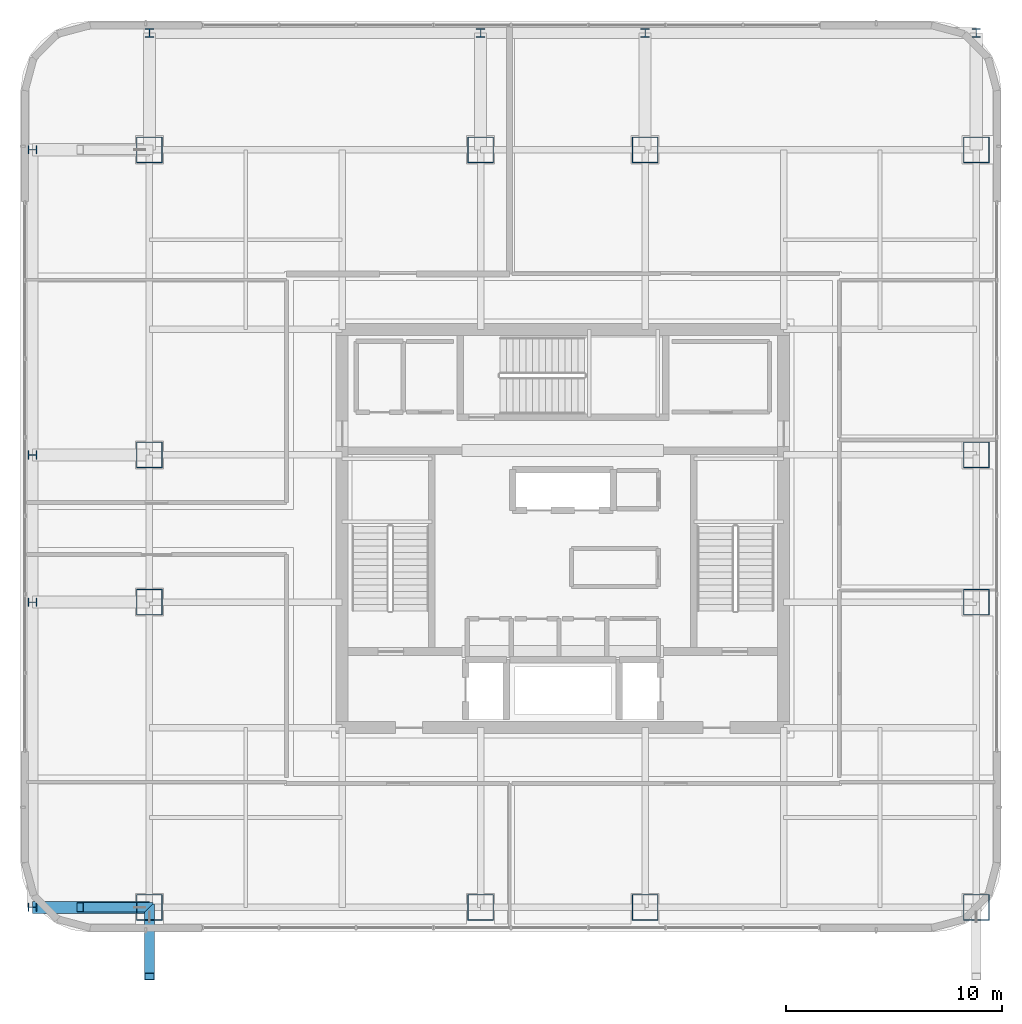
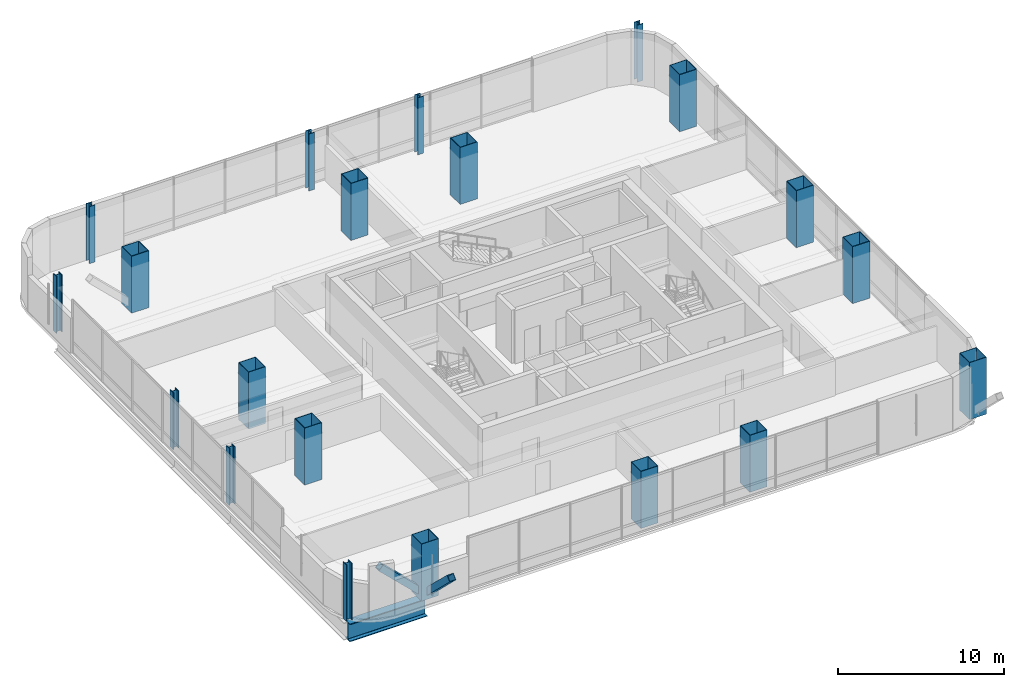
# One storey, part 1 of 51: 20 columns, 2 members, 1 beam.
"""IFC4 building model written with IfcOpenShell, lengths in metres."""

from ifc_helpers import new_model, si_unit, direction, frame, origin, origin_2d, place, context, subcontext, project, spatial, hollow_rectangle, i_section, extrude, material, material_profile, profile_set, type_object, element, save


model = new_model("IFC4")

# Units and contexts
model_context = context("Model", 3, precision=1e-05, world=origin(), true_north=direction((0.0, 1.0)))
body_context = subcontext(model_context, "Body", "Model", "MODEL_VIEW")
ifc_project = project(units=[si_unit("LENGTHUNIT", "METRE"), si_unit("AREAUNIT", "SQUARE_METRE"), si_unit("VOLUMEUNIT", "CUBIC_METRE"), si_unit("PLANEANGLEUNIT", "RADIAN"), si_unit("MASSUNIT", "GRAM", prefix="KILO")], contexts=[model_context])

# Site, building, storey
site_placement = place(None, origin())
site = spatial("IfcSite", under=ifc_project, at=site_placement, CompositionType="ELEMENT")
building_placement = place(site_placement, origin())
building = spatial("IfcBuilding", under=site, at=building_placement, Name="Punatoya Terracotta Tower", CompositionType="ELEMENT")
storey_placement = place(building_placement, frame((0.0, 0.0, 313.199951171875)))
storey = spatial("IfcBuildingStorey", under=building, at=storey_placement, Name="L74", CompositionType="ELEMENT", Elevation=313.199951171875)

# Columns
ifc_material = material(Name="Steel S460", Category="steel")
ifc_material_profile_1 = material_profile(ifc_material, i_section(OverallWidth=0.406005859375, OverallDepth=0.416015625, WebThickness=0.029052734375, FlangeThickness=0.048095703125, FilletRadius=0.01806640625, at=origin_2d()))
ifc_profile_set_1 = profile_set([ifc_material_profile_1], Name="Steel S460")
column_type_1 = type_object("IfcColumnType", Name="COL-EX-M3", PredefinedType="COLUMN", material=ifc_profile_set_1)
for number, where, z_axis, x_axis, name in (
    (1, (-19.10009765625, 22.89990234375, 0.0), (0.0, 0.0, 1.0), (1.0, 0.0, 0.0), "L74 Exoskeleton Perimeter Column N1"),
    (2, (-3.800048828125, 22.89990234375, 0.0), (0.0, 0.0, 1.0), (1.0, 0.0, 0.0), "L74 Exoskeleton Perimeter Column N2"),
    (3, (3.800048828125, 22.89990234375, 0.0), (0.0, 0.0, 1.0), (1.0, 0.0, 0.0), "L74 Exoskeleton Perimeter Column N3"),
    (4, (19.10009765625, 22.89990234375, 0.0), (0.0, 0.0, 1.0), (1.0, 0.0, 0.0), "L74 Exoskeleton Perimeter Column N4"),
    (5, (-24.5, -17.5, 0.0), (0.0, 0.0, 1.0), (0.0, 1.0, 0.0), "L74 Exoskeleton Perimeter Column W1"),
    (6, (-24.5, -3.39990234375, 0.0), (0.0, 0.0, 1.0), (0.0, 1.0, 0.0), "L74 Exoskeleton Perimeter Column W2"),
    (7, (-24.5, 3.39990234375, 0.0), (0.0, 0.0, 1.0), (0.0, 1.0, 0.0), "L74 Exoskeleton Perimeter Column W3"),
    (8, (-24.5, 17.5, 0.0), (0.0, 0.0, 1.0), (0.0, 1.0, 0.0), "L74 Exoskeleton Perimeter Column W4"),
):
    element("IfcColumn", number, at=place(storey_placement, frame(where, z_axis=z_axis, x_axis=x_axis)), inside=storey, type_object=column_type_1, Name=name, PredefinedType="COLUMN", context=body_context, shape_type="SweptSolid", body=[
        extrude(i_section(OverallWidth=0.406005859375, OverallDepth=0.416015625, WebThickness=0.029052734375, FlangeThickness=0.048095703125, FilletRadius=0.01806640625, at=origin_2d()), origin(), (0.0, 0.0, 1.0), 4.197998046875),
    ])
ifc_material_profile_2 = material_profile(ifc_material, hollow_rectangle(XDim=1.199951171875, YDim=1.199951171875, WallThickness=0.034912109375, at=origin_2d()))
ifc_profile_set_2 = profile_set([ifc_material_profile_2], Name="Steel S460")
column_type_2 = type_object("IfcColumnType", Name="COL-MC-Z4", PredefinedType="COLUMN", material=ifc_profile_set_2)
for number, where, z_axis, x_axis, name in (
    (9, (-19.10009765625, -17.5, 0.0), (0.0, 0.0, 1.0), (1.0, 0.0, 0.0), "L74 Composite Mega-Column MC-01 (3-B)"),
    (10, (-3.800048828125, -17.5, 0.0), (0.0, 0.0, 1.0), (1.0, 0.0, 0.0), "L74 Composite Mega-Column MC-02 (5-B)"),
    (11, (3.800048828125, -17.5, 0.0), (0.0, 0.0, 1.0), (1.0, 0.0, 0.0), "L74 Composite Mega-Column MC-03 (7-B)"),
    (12, (19.10009765625, -17.5, 0.0), (0.0, 0.0, 1.0), (1.0, 0.0, 0.0), "L74 Composite Mega-Column MC-04 (9-B)"),
    (13, (19.10009765625, -3.39990234375, 0.0), (0.0, 0.0, 1.0), (1.0, 0.0, 0.0), "L74 Composite Mega-Column MC-05 (9-D)"),
    (14, (19.10009765625, 3.39990234375, 0.0), (0.0, 0.0, 1.0), (1.0, 0.0, 0.0), "L74 Composite Mega-Column MC-06 (9-E)"),
    (15, (19.10009765625, 17.5, 0.0), (0.0, 0.0, 1.0), (1.0, 0.0, 0.0), "L74 Composite Mega-Column MC-07 (9-G)"),
    (16, (3.800048828125, 17.5, 0.0), (0.0, 0.0, 1.0), (1.0, 0.0, 0.0), "L74 Composite Mega-Column MC-08 (7-G)"),
    (17, (-3.800048828125, 17.5, 0.0), (0.0, 0.0, 1.0), (1.0, 0.0, 0.0), "L74 Composite Mega-Column MC-09 (5-G)"),
    (18, (-19.10009765625, 17.5, 0.0), (0.0, 0.0, 1.0), (1.0, 0.0, 0.0), "L74 Composite Mega-Column MC-10 (3-G)"),
    (19, (-19.10009765625, 3.39990234375, 0.0), (0.0, 0.0, 1.0), (1.0, 0.0, 0.0), "L74 Composite Mega-Column MC-11 (3-E)"),
    (20, (-19.10009765625, -3.39990234375, 0.0), (0.0, 0.0, 1.0), (1.0, 0.0, 0.0), "L74 Composite Mega-Column MC-12 (3-D)"),
):
    element("IfcColumn", number, at=place(storey_placement, frame(where, z_axis=z_axis, x_axis=x_axis)), inside=storey, type_object=column_type_2, Name=name, PredefinedType="COLUMN", context=body_context, shape_type="SweptSolid", body=[
        extrude(hollow_rectangle(XDim=1.199951171875, YDim=1.199951171875, WallThickness=0.034912109375, at=origin_2d()), origin(), (0.0, 0.0, 1.0), 4.199951171875),
    ])

# Beam
ifc_material_profile_3 = material_profile(ifc_material, i_section(OverallWidth=0.56005859375, OverallDepth=1.320068359375, WebThickness=0.035888671875, FlangeThickness=0.054931640625, FilletRadius=0.01806640625, at=origin_2d()))
ifc_profile_set_3 = profile_set([ifc_material_profile_3], Name="Steel S460")
beam_type = type_object("IfcBeamType", Name="BM-TG-BLK", PredefinedType="BEAM", material=ifc_profile_set_3)
beam_placement = place(storey_placement, frame((-24.5, -17.5, -0.85986328125), z_axis=(1.0, 0.0, 0.0), x_axis=(0.0, 1.0, 0.0)))
element("IfcBeam", 21, at=beam_placement, inside=storey, type_object=beam_type, Name="BM-L74-CANT-W1", PredefinedType="BEAM", context=body_context, shape_type="SweptSolid", body=[
    extrude(i_section(OverallWidth=0.56005859375, OverallDepth=1.320068359375, WebThickness=0.035888671875, FlangeThickness=0.054931640625, FilletRadius=0.01806640625, at=origin_2d()), origin(), (0.0, 0.0, 1.0), 5.39990234375),
])

# Members
ifc_material_profile_4 = material_profile(ifc_material, hollow_rectangle(XDim=0.449951171875, YDim=0.449951171875, WallThickness=0.02490234375, at=origin_2d()))
ifc_profile_set_4 = profile_set([ifc_material_profile_4], Name="Steel S460")
member_type = type_object("IfcMemberType", Name="MEM-STR-450", PredefinedType="STRUT", material=ifc_profile_set_4)
for number, where, z_axis, x_axis, name in (
    (22, (-19.10009765625, -17.5, 0.02001953125), (-0.718223962936, 0.0, 0.695811999799), (0.0, -1.0, 0.0), "L75 Cantilever Raking Knee-Strut W1"),
    (23, (-19.10009765625, -17.5, 0.02001953125), (0.0, -0.718223962936, 0.695811999799), (1.0, 0.0, 0.0), "L75 Cantilever Raking Knee-Strut S1"),
):
    element("IfcMember", number, at=place(storey_placement, frame(where, z_axis=z_axis, x_axis=x_axis)), inside=storey, type_object=member_type, Name=name, PredefinedType="STRUT", context=body_context, shape_type="SweptSolid", body=[
        extrude(hollow_rectangle(XDim=0.449951171875, YDim=0.449951171875, WallThickness=0.02490234375, at=origin_2d()), origin(), (0.0, 0.0, 1.0), 4.455322265625),
    ])

save(model, "model.ifc")
